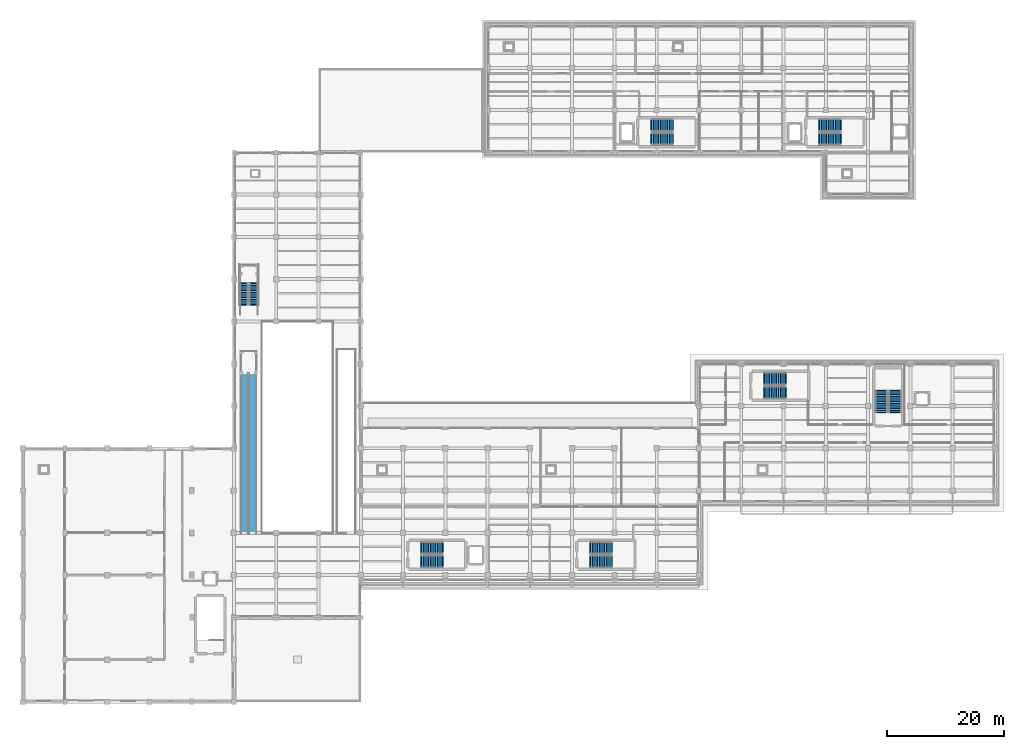
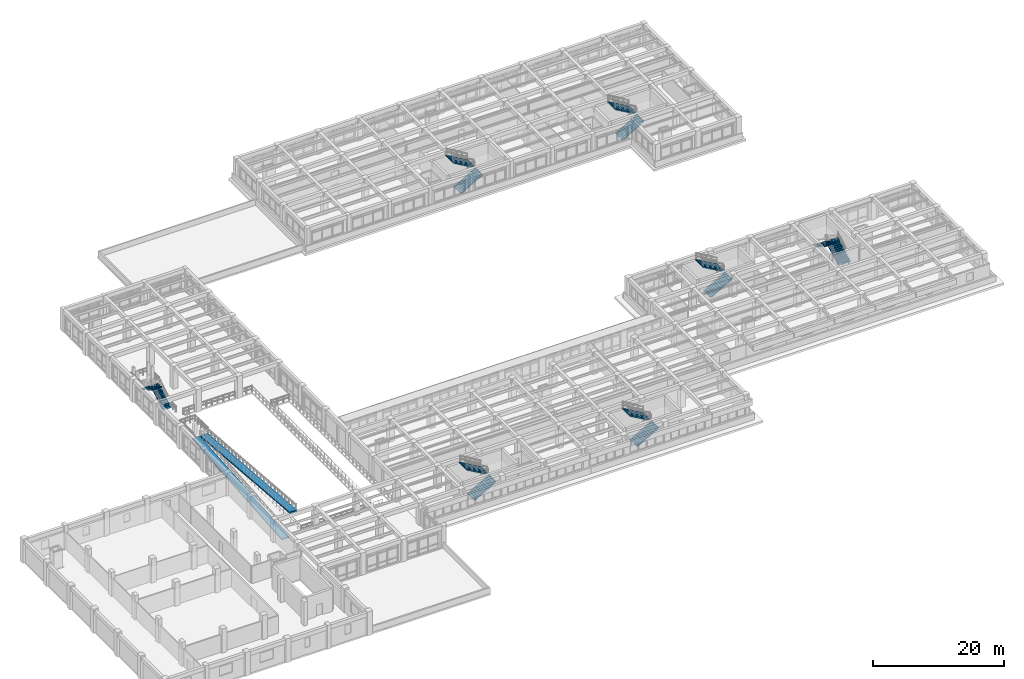
# One storey, part 56 of 69: 14 stair flights, 2 ramp flights, 8 elements without a shape of their own.
"""IFC4 building model written with IfcOpenShell, lengths in metres."""

import ifcopenshell
import ifcopenshell.guid

model = None  # the IFC model being written
_history = None  # IfcOwnerHistory: only IFC2X3 demands one
_inside = {}  # id of a spatial element -> (the spatial element, [elements in it])
_under = {}  # id of a project, library or spatial element -> (it, [spatial elements below it])
_declared = {}  # id of a project -> (the project, [libraries it declares])
_typed = {}  # id of a type object -> (the type object, [elements of that type])
_made_of = {}  # id of a material, layer set ... -> (it, [elements and type objects made of it])


def new_model(schema):
    """Start an empty IFC model of exactly this schema.

    Asked for "IFC4X3", IfcOpenShell would pick the latest addendum, in which some entities
    have other attributes; the version numbers below select the first issue.
    IFC2X3 requires an IfcOwnerHistory on every rooted entity: one is made here for all.
    """
    global model, _history
    if schema == "IFC4X3":
        model = ifcopenshell.file(schema_version=(4, 3, 0, 0))
    else:
        model = ifcopenshell.file(schema=schema)
    _inside.clear()
    _under.clear()
    _declared.clear()
    _typed.clear()
    _made_of.clear()
    _history = None
    if model.schema == "IFC2X3":
        org = make("IfcOrganization", Name="unknown")
        user = make(
            "IfcPersonAndOrganization",
            ThePerson=make("IfcPerson", FamilyName="unknown"),
            TheOrganization=org,
        )
        app = make(
            "IfcApplication",
            ApplicationDeveloper=org,
            Version="unknown",
            ApplicationFullName="unknown",
            ApplicationIdentifier="unknown",
        )
        _history = make(
            "IfcOwnerHistory",
            OwningUser=user,
            OwningApplication=app,
            ChangeAction="ADDED",
            CreationDate=0,
        )
    return model


def make(cls, **values):
    """One entity of the class cls with the attributes given. An attribute that is None is left unset."""
    return model.create_entity(
        cls, **{name: value for name, value in values.items() if value is not None}
    )


def rooted(cls, **values):
    """An entity with a GlobalId (a new one), such as an element, a storey or a relation."""
    return make(cls, GlobalId=ifcopenshell.guid.new(), OwnerHistory=_history, **values)


def si_unit(unit_type, name, prefix=None):
    """IfcSIUnit, for example si_unit("LENGTHUNIT", "METRE", prefix="MILLI")."""
    return make("IfcSIUnit", UnitType=unit_type, Prefix=prefix, Name=name)


def assignment(units):
    """IfcUnitAssignment: the units of a project."""
    return None if units is None else make("IfcUnitAssignment", Units=units)


def point(xyz):
    """IfcCartesianPoint."""
    return None if xyz is None else make("IfcCartesianPoint", Coordinates=xyz)


def direction(xyz):
    """IfcDirection."""
    return None if xyz is None else make("IfcDirection", DirectionRatios=xyz)


def frame(location, z_axis=None, x_axis=None):
    """IfcAxis2Placement3D, a coordinate frame: its origin and axes. An axis left out is left unset."""
    return make(
        "IfcAxis2Placement3D",
        Location=point(location),
        Axis=direction(z_axis),
        RefDirection=direction(x_axis),
    )


def origin():
    """The frame at (0, 0, 0) with its axes left unset."""
    return frame((0.0, 0.0, 0.0))


def place(relative_to, where):
    """IfcLocalPlacement: puts the frame where relative to a parent placement (None: the world)."""
    return make(
        "IfcLocalPlacement", PlacementRelTo=relative_to, RelativePlacement=where
    )


def context(
    kind, dimensions, precision=None, world=None, true_north=None, identifier=None
):
    """IfcGeometricRepresentationContext, for example the 3D "Model" context."""
    return make(
        "IfcGeometricRepresentationContext",
        ContextIdentifier=identifier,
        ContextType=kind,
        CoordinateSpaceDimension=dimensions,
        Precision=precision,
        WorldCoordinateSystem=world,
        TrueNorth=true_north,
    )


def subcontext(parent, identifier, kind, view, scale=None):
    """IfcGeometricRepresentationSubContext, for example "Body" below "Model"."""
    return make(
        "IfcGeometricRepresentationSubContext",
        ContextIdentifier=identifier,
        ContextType=kind,
        ParentContext=parent,
        TargetScale=scale,
        TargetView=view,
    )


def project(units=None, contexts=None):
    """IfcProject with its units and contexts."""
    return rooted(
        "IfcProject",
        Name="project",
        RepresentationContexts=contexts,
        UnitsInContext=assignment(units),
    )


def spatial(cls, under=None, at=None, **own):
    """A site, building, storey or space (cls), placed at a placement, below another one or the project."""
    s = rooted(cls, ObjectPlacement=at, **own)
    if under is not None:
        _under.setdefault(under.id(), (under, []))[1].append(s)
    return s


def polyline(points):
    """IfcPolyline through the points."""
    return make("IfcPolyline", Points=[point(p) for p in points])


def outline(outer, holes=None, kind="AREA"):
    """IfcArbitraryClosedProfileDef: a profile drawn as a closed curve; with holes, ...WithVoids."""
    if holes is None:
        return make("IfcArbitraryClosedProfileDef", ProfileType=kind, OuterCurve=outer)
    return make(
        "IfcArbitraryProfileDefWithVoids",
        ProfileType=kind,
        OuterCurve=outer,
        InnerCurves=holes,
    )


def extrude(swept, where, along, depth):
    """IfcExtrudedAreaSolid: the profile swept, set in the frame where, extruded along a direction by depth."""
    return make(
        "IfcExtrudedAreaSolid",
        SweptArea=swept,
        Position=where,
        ExtrudedDirection=direction(along),
        Depth=depth,
    )


def shape(context_of_items, identifier, shape_type, items):
    """IfcShapeRepresentation: the items that make up one representation, for example the "Body"."""
    return make(
        "IfcShapeRepresentation",
        ContextOfItems=context_of_items,
        RepresentationIdentifier=identifier,
        RepresentationType=shape_type,
        Items=items,
    )


def material(Name=None, Category=None):
    """IfcMaterial."""
    return make("IfcMaterial", Name=Name, Category=Category)


def layer(
    of_material, thickness, ventilated=None, Name=None, Category=None, Priority=None
):
    """IfcMaterialLayer: one layer of a wall or slab, of a material (None: an air gap)."""
    return make(
        "IfcMaterialLayer",
        Material=of_material,
        LayerThickness=thickness,
        IsVentilated=ventilated,
        Name=Name,
        Category=Category,
        Priority=Priority,
    )


def layer_set(layers, Name=None):
    """IfcMaterialLayerSet."""
    return make("IfcMaterialLayerSet", MaterialLayers=layers, LayerSetName=Name)


def made_of(thing, what):
    """Note that an element or type object is made of a material, layer set ...; save() writes the relation."""
    if what is not None:
        _made_of.setdefault(what.id(), (what, []))[1].append(thing)
    return thing


def type_object(cls, material=None, **own):
    """A type object (cls), such as IfcWallType, which elements share."""
    return made_of(rooted(cls, **own), material)


def element(
    cls,
    number,
    at=None,
    inside=None,
    cuts=None,
    type_object=None,
    material=None,
    context=None,
    identifier="Body",
    shape_type=None,
    held_by="IfcProductDefinitionShape",
    body=None,
    shapes=None,
    **own,
):
    """One element of the class cls, such as IfcWall. Its Tag is "e" and its number.

    at: its placement. inside: the storey or other place that contains it. cuts: it is an
    opening in that element (IfcRelVoidsElement). A single representation is given by context,
    identifier, shape_type and body (its items); several are given by shapes. held_by: the class
    of the entity that holds the representations. save() writes the other relations.
    """
    e = rooted(cls, Tag="e%d" % number, ObjectPlacement=at, **own)
    if body is not None:
        shapes = [shape(context, identifier, shape_type, body)]
    if shapes is not None:
        e.Representation = make(held_by, Representations=shapes)
    if inside is not None:
        _inside.setdefault(inside.id(), (inside, []))[1].append(e)
    if cuts is not None:
        rooted(
            "IfcRelVoidsElement", RelatingBuildingElement=cuts, RelatedOpeningElement=e
        )
    if type_object is not None:
        _typed.setdefault(type_object.id(), (type_object, []))[1].append(e)
    return made_of(e, material)


def aggregate(whole, parts):
    """IfcRelAggregates: a whole, such as a stair, and the parts it consists of."""
    return rooted("IfcRelAggregates", RelatingObject=whole, RelatedObjects=parts)


def save(model, path):
    """Write the relations noted so far, then the file.

    IfcRelAggregates (storeys below a building ...), IfcRelContainedInSpatialStructure (elements
    in a storey), IfcRelDefinesByType, IfcRelAssociatesMaterial and IfcRelDeclares: one each for
    every whole, place, type object, material and project.
    """
    for whole, parts in _under.values():
        aggregate(whole, parts)
    for where, things in _inside.values():
        rooted(
            "IfcRelContainedInSpatialStructure",
            RelatedElements=things,
            RelatingStructure=where,
        )
    for kind, things in _typed.values():
        rooted("IfcRelDefinesByType", RelatedObjects=things, RelatingType=kind)
    for what, things in _made_of.values():
        rooted("IfcRelAssociatesMaterial", RelatedObjects=things, RelatingMaterial=what)
    for by, libraries in _declared.values():
        rooted("IfcRelDeclares", RelatingContext=by, RelatedDefinitions=libraries)
    model.write(path)


model = new_model("IFC4")

# Units and contexts
model_context = context("Model", 3, precision=1e-05, world=origin(), true_north=direction((0.0, 1.0)))
body_context = subcontext(model_context, "Body", "Model", "MODEL_VIEW")
ifc_project = project(units=[si_unit("LENGTHUNIT", "METRE"), si_unit("AREAUNIT", "SQUARE_METRE"), si_unit("VOLUMEUNIT", "CUBIC_METRE"), si_unit("PLANEANGLEUNIT", "RADIAN"), si_unit("MASSUNIT", "GRAM", prefix="KILO")], contexts=[model_context])

# Site, building, storey
site_placement = place(None, origin())
site = spatial("IfcSite", under=ifc_project, at=site_placement, CompositionType="ELEMENT")
building_placement = place(site_placement, origin())
building = spatial("IfcBuilding", under=site, at=building_placement, Name="Solenvale Faculty of Natural Sciences", CompositionType="ELEMENT")
storey_placement = place(building_placement, frame((0.0, 0.0, 4.5)))
storey = spatial("IfcBuildingStorey", under=building, at=storey_placement, Name="L01", CompositionType="ELEMENT", Elevation=4.5)

# Stair, stair flights
ifc_material_1 = material(Name="Concrete 40 MPa", Category="concrete")
stair_type_1 = type_object("IfcStairType", Name="STR-CORE-25R", PredefinedType="DOUBLE_RETURN_STAIR", material=ifc_material_1)
stair_1_placement = place(storey_placement, origin())
stair_1 = element("IfcStair", 1, at=stair_1_placement, inside=storey, type_object=stair_type_1, Name="L01 Protected Exit Stair ST-02", PredefinedType="DOUBLE_RETURN_STAIR")
stair_flight_type_1 = type_object("IfcStairFlightType", Name="SFL-RC-25R", PredefinedType="STRAIGHT", material=ifc_material_1)
stair_flight_1_placement = place(storey_placement, frame((148.625, 49.340087890625, 0.0), z_axis=(0.0, 0.0, 1.0), x_axis=(0.0, 1.0, 0.0)))
stair_flight_1 = element("IfcStairFlight", 2, at=stair_flight_1_placement, type_object=stair_flight_type_1, Name="ST-02 flight 1", NumberOfRisers=13, NumberOfTreads=12, PredefinedType="STRAIGHT", RiserHeight=0.173076923, TreadLength=0.3, context=body_context, shape_type="SweptSolid", body=[
    extrude(outline(polyline([(-0.159912109375, 0.0), (0.0, 0.173095703125), (0.300048828125, 0.173095703125), (0.300048828125, 0.34619140625), (0.60009765625, 0.34619140625), (0.60009765625, 0.519287109375), (0.89990234375, 0.519287109375), (0.89990234375, 0.6923828125), (1.199951171875, 0.6923828125), (1.199951171875, 0.865478515625), (1.5, 0.865478515625), (1.5, 1.03857421875), (1.800048828125, 1.03857421875), (1.800048828125, 1.21142578125), (2.10009765625, 1.21142578125), (2.10009765625, 1.384521484375), (2.39990234375, 1.384521484375), (2.39990234375, 1.5576171875), (2.699951171875, 1.5576171875), (2.699951171875, 1.730712890625), (3.0, 1.730712890625), (3.0, 1.90380859375), (3.300048828125, 1.90380859375), (3.300048828125, 2.076904296875), (3.60009765625, 2.076904296875), (3.60009765625, 2.25), (3.760009765625, 2.25), (3.760009765625, 2.10009765625), (3.60009765625, 1.90380859375), (0.300048828125, 0.0), (-0.159912109375, 0.0)])), frame((0.0, 1.074951171875, 0.0), z_axis=(0.0, -1.0, 0.0), x_axis=(1.0, 0.0, 0.0)), (0.0, 0.0, 1.0), 2.14990234375),
])
stair_flight_2_placement = place(storey_placement, frame((146.27490234375, 52.93994140625, 2.25), z_axis=(0.0, 0.0, 1.0), x_axis=(0.0, -1.0, 0.0)))
stair_flight_2 = element("IfcStairFlight", 3, at=stair_flight_2_placement, type_object=stair_flight_type_1, Name="ST-02 flight 2", NumberOfRisers=13, NumberOfTreads=12, PredefinedType="STRAIGHT", RiserHeight=0.173076923, TreadLength=0.3, context=body_context, shape_type="SweptSolid", body=[
    extrude(outline(polyline([(-0.159912109375, 0.0), (0.0, 0.173095703125), (0.300048828125, 0.173095703125), (0.300048828125, 0.34619140625), (0.60009765625, 0.34619140625), (0.60009765625, 0.519287109375), (0.89990234375, 0.519287109375), (0.89990234375, 0.6923828125), (1.199951171875, 0.6923828125), (1.199951171875, 0.865478515625), (1.5, 0.865478515625), (1.5, 1.03857421875), (1.800048828125, 1.03857421875), (1.800048828125, 1.21142578125), (2.10009765625, 1.21142578125), (2.10009765625, 1.384521484375), (2.39990234375, 1.384521484375), (2.39990234375, 1.5576171875), (2.699951171875, 1.5576171875), (2.699951171875, 1.730712890625), (3.0, 1.730712890625), (3.0, 1.90380859375), (3.300048828125, 1.90380859375), (3.300048828125, 2.076904296875), (3.60009765625, 2.076904296875), (3.60009765625, 2.25), (3.760009765625, 2.25), (3.760009765625, 2.10009765625), (3.60009765625, 1.90380859375), (0.300048828125, 0.0), (-0.159912109375, 0.0)])), frame((0.0, 1.074951171875, 0.0), z_axis=(0.0, -1.0, 0.0), x_axis=(1.0, 0.0, 0.0)), (0.0, 0.0, 1.0), 2.14990234375),
])
aggregate(stair_1, [stair_flight_1, stair_flight_2])

stair_2_placement = place(storey_placement, origin())
stair_2 = element("IfcStair", 4, at=stair_2_placement, inside=storey, type_object=stair_type_1, Name="L01 Protected Exit Stair ST-08", PredefinedType="DOUBLE_RETURN_STAIR")
stair_flight_3_placement = place(storey_placement, frame((126.340087890625, 52.675048828125, 0.0), z_axis=(0.0, 0.0, 1.0), x_axis=(1.0, 0.0, 0.0)))
stair_flight_3 = element("IfcStairFlight", 5, at=stair_flight_3_placement, type_object=stair_flight_type_1, Name="ST-08 flight 1", NumberOfRisers=13, NumberOfTreads=12, PredefinedType="STRAIGHT", RiserHeight=0.173076923, TreadLength=0.3, context=body_context, shape_type="SweptSolid", body=[
    extrude(outline(polyline([(-0.159912109375, 0.0), (0.0, 0.173095703125), (0.300048828125, 0.173095703125), (0.300048828125, 0.34619140625), (0.60009765625, 0.34619140625), (0.60009765625, 0.519287109375), (0.89990234375, 0.519287109375), (0.89990234375, 0.6923828125), (1.199951171875, 0.6923828125), (1.199951171875, 0.865478515625), (1.5, 0.865478515625), (1.5, 1.03857421875), (1.800048828125, 1.03857421875), (1.800048828125, 1.21142578125), (2.10009765625, 1.21142578125), (2.10009765625, 1.384521484375), (2.39990234375, 1.384521484375), (2.39990234375, 1.5576171875), (2.699951171875, 1.5576171875), (2.699951171875, 1.730712890625), (3.0, 1.730712890625), (3.0, 1.90380859375), (3.300048828125, 1.90380859375), (3.300048828125, 2.076904296875), (3.60009765625, 2.076904296875), (3.60009765625, 2.25), (3.760009765625, 2.25), (3.760009765625, 2.10009765625), (3.60009765625, 1.90380859375), (0.300048828125, 0.0), (-0.159912109375, 0.0)])), frame((0.0, 1.074951171875, 0.0), z_axis=(0.0, -1.0, 0.0), x_axis=(1.0, 0.0, 0.0)), (0.0, 0.0, 1.0), 2.14990234375),
])
stair_flight_4_placement = place(storey_placement, frame((129.93994140625, 55.02490234375, 2.25), z_axis=(0.0, 0.0, 1.0), x_axis=(-1.0, 0.0, 0.0)))
stair_flight_4 = element("IfcStairFlight", 6, at=stair_flight_4_placement, type_object=stair_flight_type_1, Name="ST-08 flight 2", NumberOfRisers=13, NumberOfTreads=12, PredefinedType="STRAIGHT", RiserHeight=0.173076923, TreadLength=0.3, context=body_context, shape_type="SweptSolid", body=[
    extrude(outline(polyline([(-0.159912109375, 0.0), (0.0, 0.173095703125), (0.300048828125, 0.173095703125), (0.300048828125, 0.34619140625), (0.60009765625, 0.34619140625), (0.60009765625, 0.519287109375), (0.89990234375, 0.519287109375), (0.89990234375, 0.6923828125), (1.199951171875, 0.6923828125), (1.199951171875, 0.865478515625), (1.5, 0.865478515625), (1.5, 1.03857421875), (1.800048828125, 1.03857421875), (1.800048828125, 1.21142578125), (2.10009765625, 1.21142578125), (2.10009765625, 1.384521484375), (2.39990234375, 1.384521484375), (2.39990234375, 1.5576171875), (2.699951171875, 1.5576171875), (2.699951171875, 1.730712890625), (3.0, 1.730712890625), (3.0, 1.90380859375), (3.300048828125, 1.90380859375), (3.300048828125, 2.076904296875), (3.60009765625, 2.076904296875), (3.60009765625, 2.25), (3.760009765625, 2.25), (3.760009765625, 2.10009765625), (3.60009765625, 1.90380859375), (0.300048828125, 0.0), (-0.159912109375, 0.0)])), frame((0.0, 1.074951171875, 0.0), z_axis=(0.0, -1.0, 0.0), x_axis=(1.0, 0.0, 0.0)), (0.0, 0.0, 1.0), 2.14990234375),
])
aggregate(stair_2, [stair_flight_3, stair_flight_4])

stair_3_placement = place(storey_placement, origin())
stair_3 = element("IfcStair", 7, at=stair_3_placement, inside=storey, type_object=stair_type_1, Name="L01 Protected Exit Stair ST-03", PredefinedType="DOUBLE_RETURN_STAIR")
stair_flight_5_placement = place(storey_placement, frame((67.93994140625, 23.875, 0.0), z_axis=(0.0, 0.0, 1.0), x_axis=(1.0, 0.0, 0.0)))
stair_flight_5 = element("IfcStairFlight", 8, at=stair_flight_5_placement, type_object=stair_flight_type_1, Name="ST-03 flight 1", NumberOfRisers=13, NumberOfTreads=12, PredefinedType="STRAIGHT", RiserHeight=0.173076923, TreadLength=0.3, context=body_context, shape_type="SweptSolid", body=[
    extrude(outline(polyline([(-0.159912109375, 0.0), (0.0, 0.173095703125), (0.300048828125, 0.173095703125), (0.300048828125, 0.34619140625), (0.60009765625, 0.34619140625), (0.60009765625, 0.519287109375), (0.89990234375, 0.519287109375), (0.89990234375, 0.6923828125), (1.199951171875, 0.6923828125), (1.199951171875, 0.865478515625), (1.5, 0.865478515625), (1.5, 1.03857421875), (1.800048828125, 1.03857421875), (1.800048828125, 1.21142578125), (2.10009765625, 1.21142578125), (2.10009765625, 1.384521484375), (2.39990234375, 1.384521484375), (2.39990234375, 1.5576171875), (2.699951171875, 1.5576171875), (2.699951171875, 1.730712890625), (3.0, 1.730712890625), (3.0, 1.90380859375), (3.300048828125, 1.90380859375), (3.300048828125, 2.076904296875), (3.60009765625, 2.076904296875), (3.60009765625, 2.25), (3.760009765625, 2.25), (3.760009765625, 2.10009765625), (3.60009765625, 1.90380859375), (0.300048828125, 0.0), (-0.159912109375, 0.0)])), frame((0.0, 1.074951171875, 0.0), z_axis=(0.0, -1.0, 0.0), x_axis=(1.0, 0.0, 0.0)), (0.0, 0.0, 1.0), 2.14990234375),
])
stair_flight_6_placement = place(storey_placement, frame((71.5400390625, 26.22509765625, 2.25), z_axis=(0.0, 0.0, 1.0), x_axis=(-1.0, 0.0, 0.0)))
stair_flight_6 = element("IfcStairFlight", 9, at=stair_flight_6_placement, type_object=stair_flight_type_1, Name="ST-03 flight 2", NumberOfRisers=13, NumberOfTreads=12, PredefinedType="STRAIGHT", RiserHeight=0.173076923, TreadLength=0.3, context=body_context, shape_type="SweptSolid", body=[
    extrude(outline(polyline([(-0.159912109375, 0.0), (0.0, 0.173095703125), (0.300048828125, 0.173095703125), (0.300048828125, 0.34619140625), (0.60009765625, 0.34619140625), (0.60009765625, 0.519287109375), (0.89990234375, 0.519287109375), (0.89990234375, 0.6923828125), (1.199951171875, 0.6923828125), (1.199951171875, 0.865478515625), (1.5, 0.865478515625), (1.5, 1.03857421875), (1.800048828125, 1.03857421875), (1.800048828125, 1.21142578125), (2.10009765625, 1.21142578125), (2.10009765625, 1.384521484375), (2.39990234375, 1.384521484375), (2.39990234375, 1.5576171875), (2.699951171875, 1.5576171875), (2.699951171875, 1.730712890625), (3.0, 1.730712890625), (3.0, 1.90380859375), (3.300048828125, 1.90380859375), (3.300048828125, 2.076904296875), (3.60009765625, 2.076904296875), (3.60009765625, 2.25), (3.760009765625, 2.25), (3.760009765625, 2.10009765625), (3.60009765625, 1.90380859375), (0.300048828125, 0.0), (-0.159912109375, 0.0)])), frame((0.0, 1.074951171875, 0.0), z_axis=(0.0, -1.0, 0.0), x_axis=(1.0, 0.0, 0.0)), (0.0, 0.0, 1.0), 2.14990234375),
])
aggregate(stair_3, [stair_flight_5, stair_flight_6])

stair_4_placement = place(storey_placement, origin())
stair_4 = element("IfcStair", 10, at=stair_4_placement, inside=storey, type_object=stair_type_1, Name="L01 Protected Exit Stair ST-07", PredefinedType="DOUBLE_RETURN_STAIR")
stair_flight_7_placement = place(storey_placement, frame((96.739990234375, 23.875, 0.0), z_axis=(0.0, 0.0, 1.0), x_axis=(1.0, 0.0, 0.0)))
stair_flight_7 = element("IfcStairFlight", 11, at=stair_flight_7_placement, type_object=stair_flight_type_1, Name="ST-07 flight 1", NumberOfRisers=13, NumberOfTreads=12, PredefinedType="STRAIGHT", RiserHeight=0.173076923, TreadLength=0.3, context=body_context, shape_type="SweptSolid", body=[
    extrude(outline(polyline([(-0.159912109375, 0.0), (0.0, 0.173095703125), (0.300048828125, 0.173095703125), (0.300048828125, 0.34619140625), (0.60009765625, 0.34619140625), (0.60009765625, 0.519287109375), (0.89990234375, 0.519287109375), (0.89990234375, 0.6923828125), (1.199951171875, 0.6923828125), (1.199951171875, 0.865478515625), (1.5, 0.865478515625), (1.5, 1.03857421875), (1.800048828125, 1.03857421875), (1.800048828125, 1.21142578125), (2.10009765625, 1.21142578125), (2.10009765625, 1.384521484375), (2.39990234375, 1.384521484375), (2.39990234375, 1.5576171875), (2.699951171875, 1.5576171875), (2.699951171875, 1.730712890625), (3.0, 1.730712890625), (3.0, 1.90380859375), (3.300048828125, 1.90380859375), (3.300048828125, 2.076904296875), (3.60009765625, 2.076904296875), (3.60009765625, 2.25), (3.760009765625, 2.25), (3.760009765625, 2.10009765625), (3.60009765625, 1.90380859375), (0.300048828125, 0.0), (-0.159912109375, 0.0)])), frame((0.0, 1.074951171875, 0.0), z_axis=(0.0, -1.0, 0.0), x_axis=(1.0, 0.0, 0.0)), (0.0, 0.0, 1.0), 2.14990234375),
])
stair_flight_8_placement = place(storey_placement, frame((100.340087890625, 26.22509765625, 2.25), z_axis=(0.0, 0.0, 1.0), x_axis=(-1.0, 0.0, 0.0)))
stair_flight_8 = element("IfcStairFlight", 12, at=stair_flight_8_placement, type_object=stair_flight_type_1, Name="ST-07 flight 2", NumberOfRisers=13, NumberOfTreads=12, PredefinedType="STRAIGHT", RiserHeight=0.173076923, TreadLength=0.3, context=body_context, shape_type="SweptSolid", body=[
    extrude(outline(polyline([(-0.159912109375, 0.0), (0.0, 0.173095703125), (0.300048828125, 0.173095703125), (0.300048828125, 0.34619140625), (0.60009765625, 0.34619140625), (0.60009765625, 0.519287109375), (0.89990234375, 0.519287109375), (0.89990234375, 0.6923828125), (1.199951171875, 0.6923828125), (1.199951171875, 0.865478515625), (1.5, 0.865478515625), (1.5, 1.03857421875), (1.800048828125, 1.03857421875), (1.800048828125, 1.21142578125), (2.10009765625, 1.21142578125), (2.10009765625, 1.384521484375), (2.39990234375, 1.384521484375), (2.39990234375, 1.5576171875), (2.699951171875, 1.5576171875), (2.699951171875, 1.730712890625), (3.0, 1.730712890625), (3.0, 1.90380859375), (3.300048828125, 1.90380859375), (3.300048828125, 2.076904296875), (3.60009765625, 2.076904296875), (3.60009765625, 2.25), (3.760009765625, 2.25), (3.760009765625, 2.10009765625), (3.60009765625, 1.90380859375), (0.300048828125, 0.0), (-0.159912109375, 0.0)])), frame((0.0, 1.074951171875, 0.0), z_axis=(0.0, -1.0, 0.0), x_axis=(1.0, 0.0, 0.0)), (0.0, 0.0, 1.0), 2.14990234375),
])
aggregate(stair_4, [stair_flight_7, stair_flight_8])

stair_5_placement = place(storey_placement, origin())
stair_5 = element("IfcStair", 13, at=stair_5_placement, inside=storey, type_object=stair_type_1, Name="L01 Protected Exit Stair ST-04", PredefinedType="DOUBLE_RETURN_STAIR")
stair_flight_9_placement = place(storey_placement, frame((107.139892578125, 95.875, 0.0), z_axis=(0.0, 0.0, 1.0), x_axis=(1.0, 0.0, 0.0)))
stair_flight_9 = element("IfcStairFlight", 14, at=stair_flight_9_placement, type_object=stair_flight_type_1, Name="ST-04 flight 1", NumberOfRisers=13, NumberOfTreads=12, PredefinedType="STRAIGHT", RiserHeight=0.173076923, TreadLength=0.3, context=body_context, shape_type="SweptSolid", body=[
    extrude(outline(polyline([(-0.159912109375, 0.0), (0.0, 0.173095703125), (0.300048828125, 0.173095703125), (0.300048828125, 0.34619140625), (0.60009765625, 0.34619140625), (0.60009765625, 0.519287109375), (0.89990234375, 0.519287109375), (0.89990234375, 0.6923828125), (1.199951171875, 0.6923828125), (1.199951171875, 0.865478515625), (1.5, 0.865478515625), (1.5, 1.03857421875), (1.800048828125, 1.03857421875), (1.800048828125, 1.21142578125), (2.10009765625, 1.21142578125), (2.10009765625, 1.384521484375), (2.39990234375, 1.384521484375), (2.39990234375, 1.5576171875), (2.699951171875, 1.5576171875), (2.699951171875, 1.730712890625), (3.0, 1.730712890625), (3.0, 1.90380859375), (3.300048828125, 1.90380859375), (3.300048828125, 2.076904296875), (3.60009765625, 2.076904296875), (3.60009765625, 2.25), (3.760009765625, 2.25), (3.760009765625, 2.10009765625), (3.60009765625, 1.90380859375), (0.300048828125, 0.0), (-0.159912109375, 0.0)])), frame((0.0, 1.074951171875, 0.0), z_axis=(0.0, -1.0, 0.0), x_axis=(1.0, 0.0, 0.0)), (0.0, 0.0, 1.0), 2.14990234375),
])
stair_flight_10_placement = place(storey_placement, frame((110.739990234375, 98.22509765625, 2.25), z_axis=(0.0, 0.0, 1.0), x_axis=(-1.0, 0.0, 0.0)))
stair_flight_10 = element("IfcStairFlight", 15, at=stair_flight_10_placement, type_object=stair_flight_type_1, Name="ST-04 flight 2", NumberOfRisers=13, NumberOfTreads=12, PredefinedType="STRAIGHT", RiserHeight=0.173076923, TreadLength=0.3, context=body_context, shape_type="SweptSolid", body=[
    extrude(outline(polyline([(-0.159912109375, 0.0), (0.0, 0.173095703125), (0.300048828125, 0.173095703125), (0.300048828125, 0.34619140625), (0.60009765625, 0.34619140625), (0.60009765625, 0.519287109375), (0.89990234375, 0.519287109375), (0.89990234375, 0.6923828125), (1.199951171875, 0.6923828125), (1.199951171875, 0.865478515625), (1.5, 0.865478515625), (1.5, 1.03857421875), (1.800048828125, 1.03857421875), (1.800048828125, 1.21142578125), (2.10009765625, 1.21142578125), (2.10009765625, 1.384521484375), (2.39990234375, 1.384521484375), (2.39990234375, 1.5576171875), (2.699951171875, 1.5576171875), (2.699951171875, 1.730712890625), (3.0, 1.730712890625), (3.0, 1.90380859375), (3.300048828125, 1.90380859375), (3.300048828125, 2.076904296875), (3.60009765625, 2.076904296875), (3.60009765625, 2.25), (3.760009765625, 2.25), (3.760009765625, 2.10009765625), (3.60009765625, 1.90380859375), (0.300048828125, 0.0), (-0.159912109375, 0.0)])), frame((0.0, 1.074951171875, 0.0), z_axis=(0.0, -1.0, 0.0), x_axis=(1.0, 0.0, 0.0)), (0.0, 0.0, 1.0), 2.14990234375),
])
aggregate(stair_5, [stair_flight_9, stair_flight_10])

stair_6_placement = place(storey_placement, origin())
stair_6 = element("IfcStair", 16, at=stair_6_placement, inside=storey, type_object=stair_type_1, Name="L01 Protected Exit Stair ST-05", PredefinedType="DOUBLE_RETURN_STAIR")
stair_flight_11_placement = place(storey_placement, frame((135.739990234375, 95.875, 0.0), z_axis=(0.0, 0.0, 1.0), x_axis=(1.0, 0.0, 0.0)))
stair_flight_11 = element("IfcStairFlight", 17, at=stair_flight_11_placement, type_object=stair_flight_type_1, Name="ST-05 flight 1", NumberOfRisers=13, NumberOfTreads=12, PredefinedType="STRAIGHT", RiserHeight=0.173076923, TreadLength=0.3, context=body_context, shape_type="SweptSolid", body=[
    extrude(outline(polyline([(-0.159912109375, 0.0), (0.0, 0.173095703125), (0.300048828125, 0.173095703125), (0.300048828125, 0.34619140625), (0.60009765625, 0.34619140625), (0.60009765625, 0.519287109375), (0.89990234375, 0.519287109375), (0.89990234375, 0.6923828125), (1.199951171875, 0.6923828125), (1.199951171875, 0.865478515625), (1.5, 0.865478515625), (1.5, 1.03857421875), (1.800048828125, 1.03857421875), (1.800048828125, 1.21142578125), (2.10009765625, 1.21142578125), (2.10009765625, 1.384521484375), (2.39990234375, 1.384521484375), (2.39990234375, 1.5576171875), (2.699951171875, 1.5576171875), (2.699951171875, 1.730712890625), (3.0, 1.730712890625), (3.0, 1.90380859375), (3.300048828125, 1.90380859375), (3.300048828125, 2.076904296875), (3.60009765625, 2.076904296875), (3.60009765625, 2.25), (3.760009765625, 2.25), (3.760009765625, 2.10009765625), (3.60009765625, 1.90380859375), (0.300048828125, 0.0), (-0.159912109375, 0.0)])), frame((0.0, 1.074951171875, 0.0), z_axis=(0.0, -1.0, 0.0), x_axis=(1.0, 0.0, 0.0)), (0.0, 0.0, 1.0), 2.14990234375),
])
stair_flight_12_placement = place(storey_placement, frame((139.340087890625, 98.22509765625, 2.25), z_axis=(0.0, 0.0, 1.0), x_axis=(-1.0, 0.0, 0.0)))
stair_flight_12 = element("IfcStairFlight", 18, at=stair_flight_12_placement, type_object=stair_flight_type_1, Name="ST-05 flight 2", NumberOfRisers=13, NumberOfTreads=12, PredefinedType="STRAIGHT", RiserHeight=0.173076923, TreadLength=0.3, context=body_context, shape_type="SweptSolid", body=[
    extrude(outline(polyline([(-0.159912109375, 0.0), (0.0, 0.173095703125), (0.300048828125, 0.173095703125), (0.300048828125, 0.34619140625), (0.60009765625, 0.34619140625), (0.60009765625, 0.519287109375), (0.89990234375, 0.519287109375), (0.89990234375, 0.6923828125), (1.199951171875, 0.6923828125), (1.199951171875, 0.865478515625), (1.5, 0.865478515625), (1.5, 1.03857421875), (1.800048828125, 1.03857421875), (1.800048828125, 1.21142578125), (2.10009765625, 1.21142578125), (2.10009765625, 1.384521484375), (2.39990234375, 1.384521484375), (2.39990234375, 1.5576171875), (2.699951171875, 1.5576171875), (2.699951171875, 1.730712890625), (3.0, 1.730712890625), (3.0, 1.90380859375), (3.300048828125, 1.90380859375), (3.300048828125, 2.076904296875), (3.60009765625, 2.076904296875), (3.60009765625, 2.25), (3.760009765625, 2.25), (3.760009765625, 2.10009765625), (3.60009765625, 1.90380859375), (0.300048828125, 0.0), (-0.159912109375, 0.0)])), frame((0.0, 1.074951171875, 0.0), z_axis=(0.0, -1.0, 0.0), x_axis=(1.0, 0.0, 0.0)), (0.0, 0.0, 1.0), 2.14990234375),
])
aggregate(stair_6, [stair_flight_11, stair_flight_12])

stair_type_2 = type_object("IfcStairType", Name="STR-FEAT-27R", PredefinedType="DOUBLE_RETURN_STAIR", material=ifc_material_1)
stair_7_placement = place(storey_placement, origin())
stair_7 = element("IfcStair", 19, at=stair_7_placement, inside=storey, type_object=stair_type_2, Name="L01 Atrium Feature Stair ST-06", PredefinedType="DOUBLE_RETURN_STAIR")
ifc_material_2 = material(Name="Steel S355", Category="steel")
stair_flight_type_2 = type_object("IfcStairFlightType", Name="SFL-STL-27R", PredefinedType="STRAIGHT", material=ifc_material_2)
stair_flight_13_placement = place(storey_placement, frame((39.375, 67.64990234375, 0.0), z_axis=(0.0, 0.0, 1.0), x_axis=(0.0, 1.0, 0.0)))
stair_flight_13 = element("IfcStairFlight", 20, at=stair_flight_13_placement, type_object=stair_flight_type_2, Name="ST-06 flight 1", NumberOfRisers=13, NumberOfTreads=12, PredefinedType="STRAIGHT", RiserHeight=0.173076923, TreadLength=0.3, context=body_context, shape_type="SweptSolid", body=[
    extrude(outline(polyline([(-0.159912109375, 0.0), (0.0, 0.173095703125), (0.300048828125, 0.173095703125), (0.300048828125, 0.34619140625), (0.60009765625, 0.34619140625), (0.60009765625, 0.519287109375), (0.89990234375, 0.519287109375), (0.89990234375, 0.6923828125), (1.199951171875, 0.6923828125), (1.199951171875, 0.865478515625), (1.5, 0.865478515625), (1.5, 1.03857421875), (1.800048828125, 1.03857421875), (1.800048828125, 1.21142578125), (2.10009765625, 1.21142578125), (2.10009765625, 1.384521484375), (2.39990234375, 1.384521484375), (2.39990234375, 1.5576171875), (2.699951171875, 1.5576171875), (2.699951171875, 1.730712890625), (3.0, 1.730712890625), (3.0, 1.90380859375), (3.300048828125, 1.90380859375), (3.300048828125, 2.076904296875), (3.60009765625, 2.076904296875), (3.60009765625, 2.25), (3.760009765625, 2.25), (3.760009765625, 2.10009765625), (3.60009765625, 1.90380859375), (0.300048828125, 0.0), (-0.159912109375, 0.0)])), frame((0.0, 0.72509765625, 0.0), z_axis=(0.0, -1.0, 0.0), x_axis=(1.0, 0.0, 0.0)), (0.0, 0.0, 1.0), 1.449951171875),
])
stair_flight_14_placement = place(storey_placement, frame((37.72509765625, 71.25, 2.25), z_axis=(0.0, 0.0, 1.0), x_axis=(0.0, -1.0, 0.0)))
stair_flight_14 = element("IfcStairFlight", 21, at=stair_flight_14_placement, type_object=stair_flight_type_2, Name="ST-06 flight 2", NumberOfRisers=13, NumberOfTreads=12, PredefinedType="STRAIGHT", RiserHeight=0.173076923, TreadLength=0.3, context=body_context, shape_type="SweptSolid", body=[
    extrude(outline(polyline([(-0.159912109375, 0.0), (0.0, 0.173095703125), (0.300048828125, 0.173095703125), (0.300048828125, 0.34619140625), (0.60009765625, 0.34619140625), (0.60009765625, 0.519287109375), (0.89990234375, 0.519287109375), (0.89990234375, 0.6923828125), (1.199951171875, 0.6923828125), (1.199951171875, 0.865478515625), (1.5, 0.865478515625), (1.5, 1.03857421875), (1.800048828125, 1.03857421875), (1.800048828125, 1.21142578125), (2.10009765625, 1.21142578125), (2.10009765625, 1.384521484375), (2.39990234375, 1.384521484375), (2.39990234375, 1.5576171875), (2.699951171875, 1.5576171875), (2.699951171875, 1.730712890625), (3.0, 1.730712890625), (3.0, 1.90380859375), (3.300048828125, 1.90380859375), (3.300048828125, 2.076904296875), (3.60009765625, 2.076904296875), (3.60009765625, 2.25), (3.760009765625, 2.25), (3.760009765625, 2.10009765625), (3.60009765625, 1.90380859375), (0.300048828125, 0.0), (-0.159912109375, 0.0)])), frame((0.0, 0.72509765625, 0.0), z_axis=(0.0, -1.0, 0.0), x_axis=(1.0, 0.0, 0.0)), (0.0, 0.0, 1.0), 1.449951171875),
])
aggregate(stair_7, [stair_flight_13, stair_flight_14])

# Ramp, ramp flights
ramp_type = type_object("IfcRampType", Name="RMP-ACC-1800", PredefinedType="STRAIGHT_RUN_RAMP", material=ifc_material_1)
ramp_placement = place(storey_placement, origin())
ramp = element("IfcRamp", 22, at=ramp_placement, inside=storey, type_object=ramp_type, Name="L01 Accessible Escarpment Concourse Ramp RMP-02", PredefinedType="HALF_TURN_RAMP")
ifc_layer = layer(ifc_material_1, 0.219970703125)
ifc_layer_set = layer_set([ifc_layer], Name="Concrete 40 MPa")
ramp_flight_type = type_object("IfcRampFlightType", Name="RMF-ACC-1800", PredefinedType="STRAIGHT", material=ifc_layer_set)
ramp_flight_1_placement = place(storey_placement, frame((37.800048828125, 28.800048828125, 0.0), z_axis=(0.0, 0.0, 1.0), x_axis=(0.0, 1.0, 0.0)))
ramp_flight_1 = element("IfcRampFlight", 23, at=ramp_flight_1_placement, type_object=ramp_flight_type, Name="RMP-02 Flight 1", PredefinedType="STRAIGHT", context=body_context, shape_type="SweptSolid", body=[
    extrude(outline(polyline([(-0.179931640625, 0.0), (27.179931640625, 2.25), (27.179931640625, 2.030029296875), (-0.179931640625, -0.219970703125), (-0.179931640625, 0.0)])), frame((0.0, 0.64990234375, 0.0), z_axis=(0.0, -1.0, 0.0), x_axis=(1.0, 0.0, 0.0)), (0.0, 0.0, 1.0), 1.300048828125),
])
ramp_flight_2_placement = place(storey_placement, frame((39.199951171875, 55.800048828125, 2.25), z_axis=(0.0, 0.0, 1.0), x_axis=(0.0, -1.0, 0.0)))
ramp_flight_2 = element("IfcRampFlight", 24, at=ramp_flight_2_placement, type_object=ramp_flight_type, Name="RMP-02 Flight 2", PredefinedType="STRAIGHT", context=body_context, shape_type="SweptSolid", body=[
    extrude(outline(polyline([(-0.179931640625, 0.0), (27.179931640625, 2.25), (27.179931640625, 2.030029296875), (-0.179931640625, -0.219970703125), (-0.179931640625, 0.0)])), frame((0.0, 0.64990234375, 0.0), z_axis=(0.0, -1.0, 0.0), x_axis=(1.0, 0.0, 0.0)), (0.0, 0.0, 1.0), 1.300048828125),
])
aggregate(ramp, [ramp_flight_1, ramp_flight_2])

save(model, "model.ifc")
